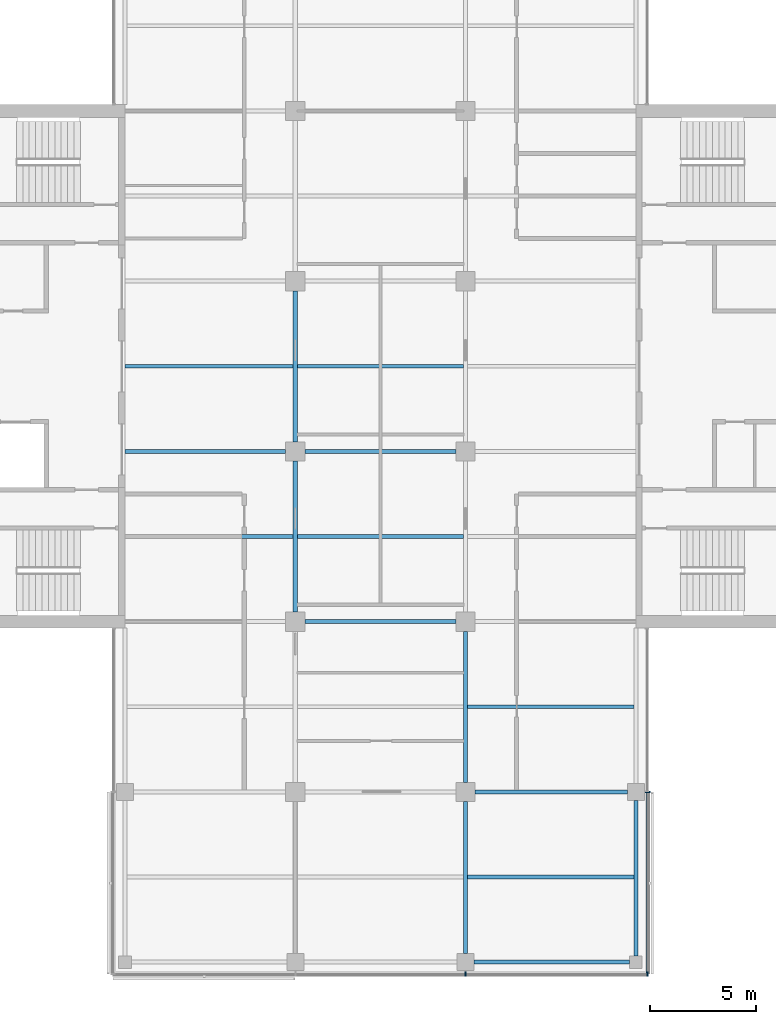
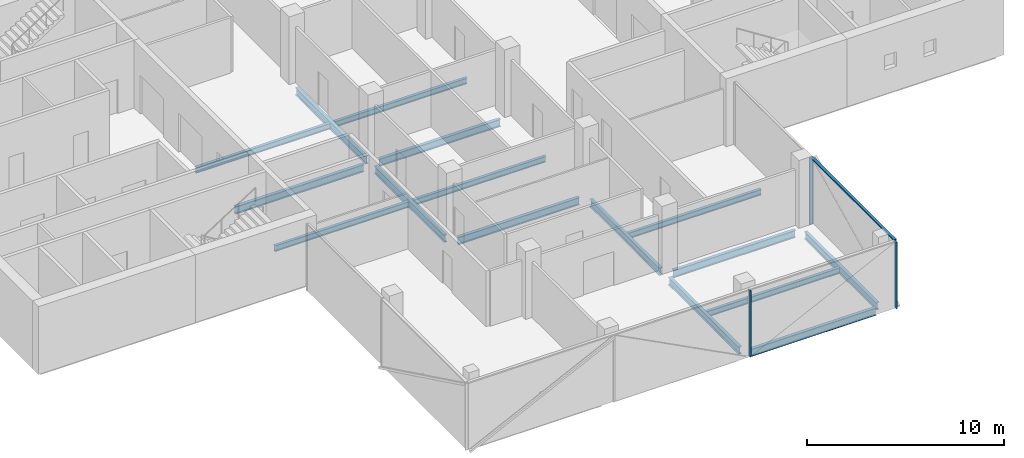
# One storey, part 3 of 16: 16 beams, 4 members, 2 elements without a shape of their own.
"""IFC4 building model written with IfcOpenShell, lengths in metres."""

from ifc_helpers import new_model, si_unit, direction, frame, origin, origin_2d, place, context, subcontext, project, spatial, rectangle, i_section, extrude, material, material_profile, profile_set, type_object, element, aggregate, save


model = new_model("IFC4")

# Units and contexts
model_context = context("Model", 3, precision=1e-05, world=origin(), true_north=direction((0.0, 1.0)))
body_context = subcontext(model_context, "Body", "Model", "MODEL_VIEW")
ifc_project = project(units=[si_unit("LENGTHUNIT", "METRE"), si_unit("AREAUNIT", "SQUARE_METRE"), si_unit("VOLUMEUNIT", "CUBIC_METRE"), si_unit("PLANEANGLEUNIT", "RADIAN"), si_unit("MASSUNIT", "GRAM", prefix="KILO")], contexts=[model_context])

# Site, building, storey
site_placement = place(None, origin())
site = spatial("IfcSite", under=ifc_project, at=site_placement, CompositionType="ELEMENT")
building_placement = place(site_placement, origin())
building = spatial("IfcBuilding", under=site, at=building_placement, Name="Crosswind Convention Tower", CompositionType="ELEMENT")
storey_placement = place(building_placement, frame((0.0, 0.0, 208.300048828125)))
storey = spatial("IfcBuildingStorey", under=building, at=storey_placement, Name="L44", CompositionType="ELEMENT", Elevation=208.300048828125)

# Beams
ifc_material_1 = material(Name="Steel S355", Category="steel")
ifc_material_profile_1 = material_profile(ifc_material_1, i_section(OverallWidth=0.18994140625, OverallDepth=0.45361328125, WebThickness=0.008544921875, FlangeThickness=0.0126953125, FilletRadius=0.01025390625, at=origin_2d()), Name="UB 457x191x67")
ifc_profile_set_1 = profile_set([ifc_material_profile_1], Name="Steel S355")
beam_type_1 = type_object("IfcBeamType", Name="Edge beam UB 457x191x67", PredefinedType="SPANDREL", material=ifc_profile_set_1)
for number, where, z_axis, x_axis, name in (
    (1, (129.39990234375, 72.0, -0.52685546875), (1.0, 0.0, 0.0), (0.0, 1.0, 0.0), "B16 L44 edge beam 9"),
    (2, (137.0, 72.300048828125, -0.52685546875), (0.0, 1.0, 0.0), (-1.0, 0.0, 0.0), "B16 L44 edge beam 11"),
):
    element("IfcBeam", number, at=place(storey_placement, frame(where, z_axis=z_axis, x_axis=x_axis)), inside=storey, type_object=beam_type_1, Name=name, PredefinedType="SPANDREL", context=body_context, shape_type="SweptSolid", body=[
        extrude(i_section(OverallWidth=0.18994140625, OverallDepth=0.45361328125, WebThickness=0.008544921875, FlangeThickness=0.0126953125, FilletRadius=0.01025390625, at=origin_2d()), origin(), (0.0, 0.0, 1.0), 7.300048828125),
    ])
ifc_material_profile_2 = material_profile(ifc_material_1, i_section(OverallWidth=0.1904296875, OverallDepth=0.457275390625, WebThickness=0.009033203125, FlangeThickness=0.014404296875, FilletRadius=0.01025390625, at=origin_2d()), Name="UB 457x191x75")
ifc_profile_set_2 = profile_set([ifc_material_profile_2], Name="Steel S355")
beam_type_2 = type_object("IfcBeamType", Name="Girder UB 457x191x75", PredefinedType="BEAM", material=ifc_profile_set_2)
for number, where, z_axis, x_axis, name in (
    (3, (121.0, 88.449951171875, -0.528564453125), (0.0, 1.0, 0.0), (-1.0, 0.0, 0.0), "B2 L44 girder 5"),
    (4, (121.0, 96.449951171875, -0.528564453125), (0.0, 1.0, 0.0), (-1.0, 0.0, 0.0), "B2 L44 girder 6"),
    (5, (121.449951171875, 88.0, -0.528564453125), (1.0, 0.0, 0.0), (0.0, 1.0, 0.0), "B2 L44 girder 11"),
    (6, (121.449951171875, 96.0, -0.528564453125), (1.0, 0.0, 0.0), (0.0, 1.0, 0.0), "B2 L44 girder 12"),
):
    element("IfcBeam", number, at=place(storey_placement, frame(where, z_axis=z_axis, x_axis=x_axis)), inside=storey, type_object=beam_type_2, Name=name, PredefinedType="BEAM", context=body_context, shape_type="SweptSolid", body=[
        extrude(i_section(OverallWidth=0.1904296875, OverallDepth=0.457275390625, WebThickness=0.009033203125, FlangeThickness=0.014404296875, FilletRadius=0.01025390625, at=origin_2d()), origin(), (0.0, 0.0, 1.0), 7.10009765625),
    ])
beam_1_placement = place(storey_placement, frame((129.0, 72.39990234375, -0.528564453125), z_axis=(0.0, 1.0, 0.0), x_axis=(-1.0, 0.0, 0.0)))
element("IfcBeam", 7, at=beam_1_placement, inside=storey, type_object=beam_type_2, Name="B2 L44 girder 16", PredefinedType="BEAM", context=body_context, shape_type="SweptSolid", body=[
    extrude(i_section(OverallWidth=0.1904296875, OverallDepth=0.457275390625, WebThickness=0.009033203125, FlangeThickness=0.014404296875, FilletRadius=0.01025390625, at=origin_2d()), origin(), (0.0, 0.0, 1.0), 7.150146484375),
])
beam_2_placement = place(storey_placement, frame((129.0, 80.449951171875, -0.528564453125), z_axis=(0.0, 1.0, 0.0), x_axis=(-1.0, 0.0, 0.0)))
element("IfcBeam", 8, at=beam_2_placement, inside=storey, type_object=beam_type_2, Name="B2 L44 girder 17", PredefinedType="BEAM", context=body_context, shape_type="SweptSolid", body=[
    extrude(i_section(OverallWidth=0.1904296875, OverallDepth=0.457275390625, WebThickness=0.009033203125, FlangeThickness=0.014404296875, FilletRadius=0.01025390625, at=origin_2d()), origin(), (0.0, 0.0, 1.0), 7.10009765625),
])
beam_3_placement = place(storey_placement, frame((129.449951171875, 80.0, -0.528564453125), z_axis=(1.0, 0.0, 0.0), x_axis=(0.0, 1.0, 0.0)))
element("IfcBeam", 9, at=beam_3_placement, inside=storey, type_object=beam_type_2, Name="B2 L44 girder 23", PredefinedType="BEAM", context=body_context, shape_type="SweptSolid", body=[
    extrude(i_section(OverallWidth=0.1904296875, OverallDepth=0.457275390625, WebThickness=0.009033203125, FlangeThickness=0.014404296875, FilletRadius=0.01025390625, at=origin_2d()), origin(), (0.0, 0.0, 1.0), 7.150146484375),
])
ifc_material_profile_3 = material_profile(ifc_material_1, i_section(OverallWidth=0.19140625, OverallDepth=0.460205078125, WebThickness=0.010009765625, FlangeThickness=0.01611328125, FilletRadius=0.01025390625, at=origin_2d()), Name="UB 457x191x82")
ifc_profile_set_3 = profile_set([ifc_material_profile_3], Name="Steel S355")
beam_type_3 = type_object("IfcBeamType", Name="Girder at core wall UB 457x191x82", PredefinedType="BEAM", material=ifc_profile_set_3)
beam_4_placement = place(storey_placement, frame((113.0, 96.0, -0.530029296875), z_axis=(1.0, 0.0, 0.0), x_axis=(0.0, 1.0, 0.0)))
element("IfcBeam", 10, at=beam_4_placement, inside=storey, type_object=beam_type_3, Name="B23 L44 girder at core wall 2", PredefinedType="BEAM", context=body_context, shape_type="SweptSolid", body=[
    extrude(i_section(OverallWidth=0.19140625, OverallDepth=0.460205078125, WebThickness=0.010009765625, FlangeThickness=0.01611328125, FilletRadius=0.01025390625, at=origin_2d()), origin(), (0.0, 0.0, 1.0), 7.550048828125),
])

# Curtain wall, members
ifc_material_2 = material(Name="Aluminium unitised curtain wall", Category="aluminium")
curtain_wall_type = type_object("IfcCurtainWallType", Name="OFFICE UNITISED WALL 220", PredefinedType="USERDEFINED", material=ifc_material_2)
curtain_wall_1_placement = place(storey_placement, origin())
curtain_wall_1 = element("IfcCurtainWall", 11, at=curtain_wall_1_placement, inside=storey, type_object=curtain_wall_type, Name="CW3 L44 S-TIP 1", ObjectType="UNITISED", PredefinedType="USERDEFINED")
ifc_material_3 = material(Name="Aluminium mullion", Category="aluminium")
ifc_material_profile_4 = material_profile(ifc_material_3, rectangle(XDim=0.219970703125, YDim=0.070068359375, at=origin_2d()), Name="AL 220X70")
ifc_profile_set_4 = profile_set([ifc_material_profile_4], Name="Aluminium mullion")
member_type_1 = type_object("IfcMemberType", Name="MULLION 70X220", PredefinedType="MULLION", material=ifc_profile_set_4)
member_1_placement = place(storey_placement, frame((129.0, 71.43994140625, -0.300048828125), z_axis=(0.0, 0.0, 1.0), x_axis=(0.0, -1.0, 0.0)))
member_1 = element("IfcMember", 12, at=member_1_placement, type_object=member_type_1, Name="CW3 mullion 3", PredefinedType="MULLION", context=body_context, shape_type="SweptSolid", body=[
    extrude(rectangle(XDim=0.219970703125, YDim=0.070068359375, at=origin_2d()), origin(), (0.0, 0.0, 1.0), 4.1298828125),
])
member_2_placement = place(storey_placement, frame((137.56005859375, 71.43994140625, -0.300048828125), z_axis=(0.0, 0.0, 1.0), x_axis=(0.0, -1.0, 0.0)))
member_2 = element("IfcMember", 13, at=member_2_placement, type_object=member_type_1, Name="CW3 mullion 4", PredefinedType="MULLION", context=body_context, shape_type="SweptSolid", body=[
    extrude(rectangle(XDim=0.219970703125, YDim=0.070068359375, at=origin_2d()), origin(), (0.0, 0.0, 1.0), 4.1298828125),
])
aggregate(curtain_wall_1, [member_1, member_2])

# Curtain wall, member
curtain_wall_2_placement = place(storey_placement, origin())
curtain_wall_2 = element("IfcCurtainWall", 14, at=curtain_wall_2_placement, inside=storey, type_object=curtain_wall_type, Name="CW3 L44 S-E 1", ObjectType="UNITISED", PredefinedType="USERDEFINED")
member_3_placement = place(storey_placement, frame((137.56005859375, 80.0, -0.300048828125), z_axis=(0.0, 0.0, 1.0), x_axis=(1.0, 0.0, 0.0)))
member_3 = element("IfcMember", 15, at=member_3_placement, type_object=member_type_1, Name="CW3 mullion 2", PredefinedType="MULLION", context=body_context, shape_type="SweptSolid", body=[
    extrude(rectangle(XDim=0.219970703125, YDim=0.070068359375, at=origin_2d()), origin(), (0.0, 0.0, 1.0), 4.1298828125),
])

# Beams
ifc_material_profile_5 = material_profile(ifc_material_1, i_section(OverallWidth=0.172119140625, OverallDepth=0.358642578125, WebThickness=0.008056640625, FlangeThickness=0.012939453125, FilletRadius=0.01025390625, at=origin_2d()), Name="UB 356x171x57")
ifc_profile_set_5 = profile_set([ifc_material_profile_5], Name="Steel S355")
beam_type_4 = type_object("IfcBeamType", Name="Secondary beam UB 356x171x57", PredefinedType="JOIST", material=ifc_profile_set_5)
for number, where, z_axis, x_axis, name in (
    (16, (113.0, 92.0, -0.479248046875), (1.0, 0.0, 0.0), (0.0, 1.0, 0.0), "B9 L44 secondary beam 1"),
    (17, (113.0, 100.0, -0.479248046875), (1.0, 0.0, 0.0), (0.0, 1.0, 0.0), "B9 L44 secondary beam 2"),
):
    element("IfcBeam", number, at=place(storey_placement, frame(where, z_axis=z_axis, x_axis=x_axis)), inside=storey, type_object=beam_type_4, Name=name, PredefinedType="JOIST", context=body_context, shape_type="SweptSolid", body=[
        extrude(i_section(OverallWidth=0.172119140625, OverallDepth=0.358642578125, WebThickness=0.008056640625, FlangeThickness=0.012939453125, FilletRadius=0.01025390625, at=origin_2d()), origin(), (0.0, 0.0, 1.0), 7.90478515625),
    ])
for number, where, z_axis, x_axis, name in (
    (18, (121.09521484375, 92.0, -0.479248046875), (1.0, 0.0, 0.0), (0.0, 1.0, 0.0), "B9 L44 secondary beam 10"),
    (19, (121.09521484375, 100.0, -0.479248046875), (1.0, 0.0, 0.0), (0.0, 1.0, 0.0), "B9 L44 secondary beam 11"),
):
    element("IfcBeam", number, at=place(storey_placement, frame(where, z_axis=z_axis, x_axis=x_axis)), inside=storey, type_object=beam_type_4, Name=name, PredefinedType="JOIST", context=body_context, shape_type="SweptSolid", body=[
        extrude(i_section(OverallWidth=0.172119140625, OverallDepth=0.358642578125, WebThickness=0.008056640625, FlangeThickness=0.012939453125, FilletRadius=0.01025390625, at=origin_2d()), origin(), (0.0, 0.0, 1.0), 7.8095703125),
    ])
for number, where, z_axis, x_axis, name in (
    (20, (129.09521484375, 76.0, -0.479248046875), (1.0, 0.0, 0.0), (0.0, 1.0, 0.0), "B9 L44 secondary beam 15"),
    (21, (129.09521484375, 84.0, -0.479248046875), (1.0, 0.0, 0.0), (0.0, 1.0, 0.0), "B9 L44 secondary beam 16"),
):
    element("IfcBeam", number, at=place(storey_placement, frame(where, z_axis=z_axis, x_axis=x_axis)), inside=storey, type_object=beam_type_4, Name=name, PredefinedType="JOIST", context=body_context, shape_type="SweptSolid", body=[
        extrude(i_section(OverallWidth=0.172119140625, OverallDepth=0.358642578125, WebThickness=0.008056640625, FlangeThickness=0.012939453125, FilletRadius=0.01025390625, at=origin_2d()), origin(), (0.0, 0.0, 1.0), 7.809814453125),
    ])

# Member
ifc_material_4 = material(Name="Aluminium transom", Category="aluminium")
ifc_material_profile_6 = material_profile(ifc_material_4, rectangle(XDim=0.159912109375, YDim=0.070068359375, at=origin_2d()), Name="AL 160X70")
ifc_profile_set_6 = profile_set([ifc_material_profile_6], Name="Aluminium transom")
member_type_2 = type_object("IfcMemberType", Name="TRANSOM 70X160", PredefinedType="USERDEFINED", material=ifc_profile_set_6)
member_4_placement = place(storey_placement, frame((137.56005859375, 71.47509765625, 3.864990234375), z_axis=(0.0, 1.0, 0.0), x_axis=(-1.0, 0.0, 0.0)))
member_4 = element("IfcMember", 22, at=member_4_placement, type_object=member_type_2, Name="CW3 transom", ObjectType="TRANSOM", PredefinedType="USERDEFINED", context=body_context, shape_type="SweptSolid", body=[
    extrude(rectangle(XDim=0.159912109375, YDim=0.070068359375, at=origin_2d()), origin(), (0.0, 0.0, 1.0), 8.489990234375),
])

aggregate(curtain_wall_2, [member_3, member_4])

save(model, "model.ifc")
